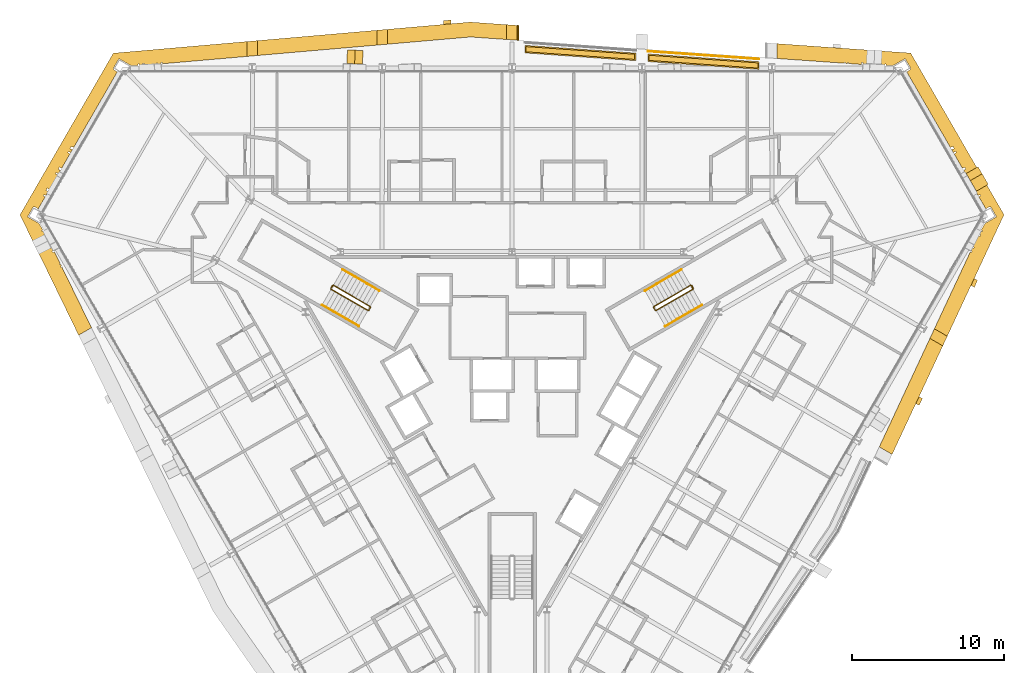
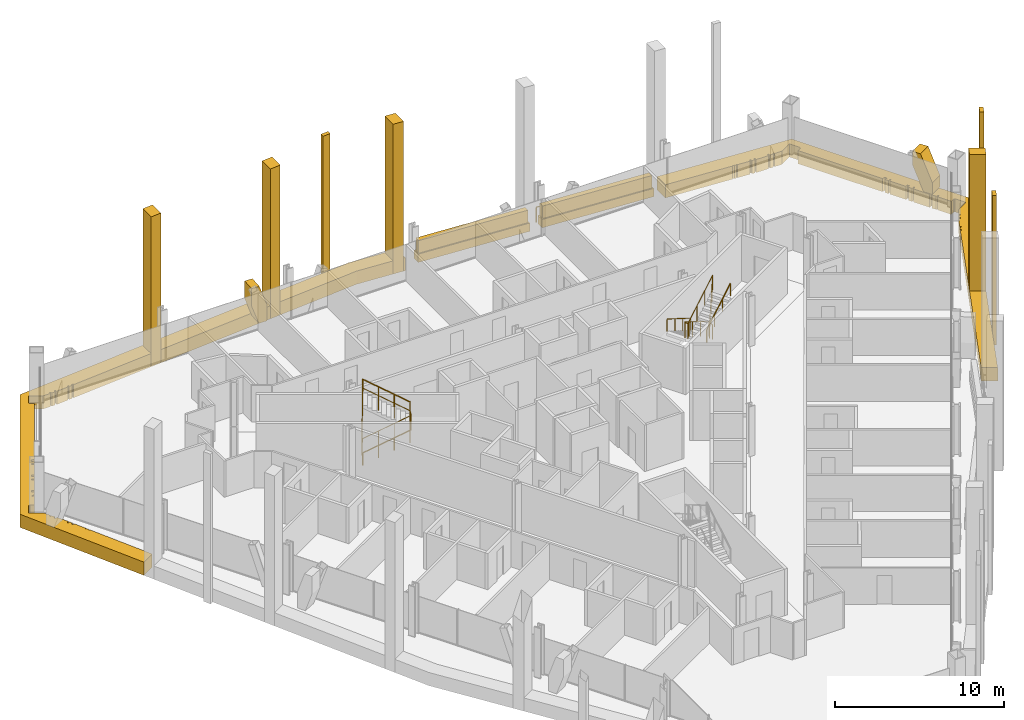
# One storey, part 20 of 21: 19 coverings, 7 railings.
"""IFC4 building model written with IfcOpenShell, lengths in metres."""

from ifc_helpers import new_model, si_unit, direction, frame, origin, origin_2d, place, context, subcontext, project, spatial, polyline, circle, outline, extrude, material, layer, layer_set, type_object, element, save


model = new_model("IFC4")

# Units and contexts
model_context = context("Model", 3, precision=1e-05, world=origin(), true_north=direction((0.0, 1.0)))
body_context = subcontext(model_context, "Body", "Model", "MODEL_VIEW")
ifc_project = project(units=[si_unit("LENGTHUNIT", "METRE"), si_unit("AREAUNIT", "SQUARE_METRE"), si_unit("VOLUMEUNIT", "CUBIC_METRE"), si_unit("PLANEANGLEUNIT", "RADIAN"), si_unit("MASSUNIT", "GRAM", prefix="KILO")], contexts=[model_context])

# Site, building, storey
site_placement = place(None, origin())
site = spatial("IfcSite", under=ifc_project, at=site_placement, CompositionType="ELEMENT")
building_placement = place(site_placement, origin())
building = spatial("IfcBuilding", under=site, at=building_placement, Name="Verrane Prism Tower", CompositionType="ELEMENT")
storey_placement = place(building_placement, frame((0.0, 0.0, 65.60009765625)))
storey = spatial("IfcBuildingStorey", under=building, at=storey_placement, Name="L14", CompositionType="ELEMENT", Elevation=65.60009765625)

# Coverings
ifc_material_1 = material(Name="Planting medium in stone kerb", Category="masonry")
covering_type_1 = type_object("IfcCoveringType", Name="Planter bed 600", PredefinedType="USERDEFINED", material=ifc_material_1)
covering_1_placement = place(storey_placement, origin())
element("IfcCovering", 1, at=covering_1_placement, inside=storey, type_object=covering_type_1, Name="Loggia planter N2 L14", ObjectType="PLANTER", PredefinedType="USERDEFINED", context=body_context, shape_type="SweptSolid", body=[
    extrude(outline(polyline([(16.2978515625, 21.732177734375), (8.97412109375, 22.246826171875), (8.97412109375, 21.746826171875), (16.2978515625, 21.232177734375), (16.2978515625, 21.732177734375)])), origin(), (0.0, 0.0, 1.0), 0.599853515625),
])
covering_2_placement = place(storey_placement, origin())
element("IfcCovering", 2, at=covering_2_placement, inside=storey, type_object=covering_type_1, Name="Loggia planter N3 L14", ObjectType="PLANTER", PredefinedType="USERDEFINED", context=body_context, shape_type="SweptSolid", body=[
    extrude(outline(polyline([(8.174072265625, 22.302978515625), (0.85009765625, 22.817626953125), (0.85009765625, 22.317626953125), (8.174072265625, 21.802978515625), (8.174072265625, 22.302978515625)])), origin(), (0.0, 0.0, 1.0), 0.599853515625),
])
ifc_material_2 = material(Name="Planted shrubs and grasses", Category="other")
covering_type_2 = type_object("IfcCoveringType", Name="Planting mass 1000", PredefinedType="USERDEFINED", material=ifc_material_2)
covering_3_placement = place(storey_placement, frame((0.0, 0.0, 0.599853515625)))
element("IfcCovering", 3, at=covering_3_placement, inside=storey, type_object=covering_type_2, Name="Loggia planting N2 L14", ObjectType="PLANTING", PredefinedType="USERDEFINED", context=body_context, shape_type="SweptSolid", body=[
    extrude(outline(polyline([(9.053955078125, 22.160888671875), (9.053955078125, 21.8212890625), (16.218017578125, 21.318115234375), (16.218017578125, 21.65771484375), (9.053955078125, 22.160888671875)])), origin(), (0.0, 0.0, 1.0), 0.900146484375),
])
covering_4_placement = place(storey_placement, frame((0.0, 0.0, 0.599853515625)))
element("IfcCovering", 4, at=covering_4_placement, inside=storey, type_object=covering_type_2, Name="Loggia planting N3 L14", ObjectType="PLANTING", PredefinedType="USERDEFINED", context=body_context, shape_type="SweptSolid", body=[
    extrude(outline(polyline([(0.929931640625, 22.731689453125), (0.929931640625, 22.39208984375), (8.093994140625, 21.888916015625), (8.093994140625, 22.228515625), (0.929931640625, 22.731689453125)])), origin(), (0.0, 0.0, 1.0), 0.900146484375),
])

# Railings
ifc_material_3 = material(Name="Steel A36 rail and posts, no infill", Category="steel")
railing_type_1 = type_object("IfcRailingType", Name="Stair guard 1100 steel rail and posts", PredefinedType="GUARDRAIL", material=ifc_material_3)
railing_1_placement = place(storey_placement, frame((11.78955078125, 6.97998046875, 0.16357421875)))
element("IfcRailing", 5, at=railing_1_placement, inside=storey, type_object=railing_type_1, Name="Stair 1 guard", PredefinedType="GUARDRAIL", context=body_context, shape_type="SweptSolid", body=[
    extrude(circle(Radius=0.02392578125, at=origin_2d()), frame((0.0, 0.0, 1.076171875), z_axis=(-0.747693913401, -0.431738279637, 0.504535300807), x_axis=(0.500049511043, -0.865996816683, 0.0)), (0.0, 0.0, 1.0), 3.2431640625),
    extrude(circle(Radius=0.02392578125, at=origin_2d()), frame((-2.4248046875, -1.400146484375, 2.71240234375), z_axis=(-0.259601060869, -0.965715946433, 0.0), x_axis=(0.965715946433, -0.259601060869, 0.0)), (0.0, 0.0, 1.0), 0.070556640625),
    extrude(circle(Radius=0.02392578125, at=origin_2d()), frame((-2.443115234375, -1.46826171875, 2.71240234375), z_axis=(0.499158860599, -0.866510491504, 0.0), x_axis=(0.866510491504, 0.499158860599, 0.0)), (0.0, 0.0, 1.0), 0.199951171875),
    extrude(circle(Radius=0.02392578125, at=origin_2d()), frame((-2.34326171875, -1.6416015625, 2.71240234375), z_axis=(0.383070988865, -0.102608300589, 0.918002262601), x_axis=(0.258736085224, 0.965948051503, 0.0)), (0.0, 0.0, 1.0), 0.178466796875),
    extrude(circle(Radius=0.02392578125, at=origin_2d()), frame((-2.27490234375, -1.659912109375, 2.8759765625), z_axis=(0.747693913401, 0.431738279637, 0.504535300807), x_axis=(-0.500049511043, 0.865996816683, 0.0)), (0.0, 0.0, 1.0), 3.2431640625),
    extrude(circle(Radius=0.02392578125, at=origin_2d()), frame((0.14990234375, -0.259765625, 4.51220703125), z_axis=(-0.022595193939, 0.066906128161, -0.9975033971), x_axis=(-0.947430582667, -0.3199613899, 0.0)), (0.0, 0.0, 1.0), 3.60888671875),
    extrude(circle(Radius=0.02392578125, at=origin_2d()), frame((0.068359375, -0.018310546875, 0.91259765625), z_axis=(0.499158860599, -0.866510491504, 0.0), x_axis=(0.866510491504, 0.499158860599, 0.0)), (0.0, 0.0, 1.0), 0.199951171875),
    extrude(circle(Radius=0.02099609375, at=origin_2d()), origin(), (0.0, 0.0, 1.0), 1.052001953125),
    extrude(circle(Radius=0.02099609375, at=origin_2d()), frame((-0.808349609375, -0.466796875, 0.54541015625)), (0.0, 0.0, 1.0), 1.052001953125),
    extrude(circle(Radius=0.02099609375, at=origin_2d()), frame((-1.616455078125, -0.933349609375, 1.0908203125)), (0.0, 0.0, 1.0), 1.052001953125),
    extrude(circle(Radius=0.02099609375, at=origin_2d()), frame((-2.4248046875, -1.400146484375, 1.63623046875)), (0.0, 0.0, 1.0), 1.052001953125),
    extrude(circle(Radius=0.02099609375, at=origin_2d()), frame((-2.443115234375, -1.46826171875, 1.63623046875)), (0.0, 0.0, 1.0), 1.052001953125),
    extrude(circle(Radius=0.02099609375, at=origin_2d()), frame((-2.34326171875, -1.6416015625, 1.63623046875)), (0.0, 0.0, 1.0), 1.052001953125),
    extrude(circle(Radius=0.02099609375, at=origin_2d()), frame((-2.27490234375, -1.659912109375, 1.800048828125)), (0.0, 0.0, 1.0), 1.052001953125),
    extrude(circle(Radius=0.02099609375, at=origin_2d()), frame((-1.466552734375, -1.193115234375, 2.345458984375)), (0.0, 0.0, 1.0), 1.052001953125),
    extrude(circle(Radius=0.02099609375, at=origin_2d()), frame((-0.658447265625, -0.7265625, 2.890869140625)), (0.0, 0.0, 1.0), 1.052001953125),
    extrude(circle(Radius=0.02099609375, at=origin_2d()), frame((0.14990234375, -0.259765625, 3.436279296875)), (0.0, 0.0, 1.0), 1.052001953125),
    extrude(circle(Radius=0.02099609375, at=origin_2d()), frame((0.12939453125, -0.199462890625, 2.536376953125)), (0.0, 0.0, 1.0), 1.052001953125),
    extrude(circle(Radius=0.02099609375, at=origin_2d()), frame((0.109130859375, -0.13916015625, 1.63623046875)), (0.0, 0.0, 1.0), 1.052001953125),
    extrude(circle(Radius=0.02099609375, at=origin_2d()), frame((0.0888671875, -0.07861328125, 0.736328125)), (0.0, 0.0, 1.0), 1.052001953125),
    extrude(circle(Radius=0.02099609375, at=origin_2d()), frame((0.068359375, -0.018310546875, -0.16357421875)), (0.0, 0.0, 1.0), 1.052001953125),
    extrude(circle(Radius=0.02099609375, at=origin_2d()), frame((0.168212890625, -0.191650390625, -0.16357421875)), (0.0, 0.0, 1.0), 1.052001953125),
])
railing_2_placement = place(storey_placement, frame((-11.939453125, 6.72021484375, 0.16357421875)))
element("IfcRailing", 6, at=railing_2_placement, inside=storey, type_object=railing_type_1, Name="Stair 2 guard", PredefinedType="GUARDRAIL", context=body_context, shape_type="SweptSolid", body=[
    extrude(circle(Radius=0.02392578125, at=origin_2d()), frame((0.0, 0.0, 1.076171875), z_axis=(0.747693913401, -0.431738279637, 0.504535300807), x_axis=(0.500049511043, 0.865996816683, 0.0)), (0.0, 0.0, 1.0), 3.2431640625),
    extrude(circle(Radius=0.02392578125, at=origin_2d()), frame((2.4248046875, -1.400146484375, 2.71240234375), z_axis=(0.965948051503, 0.258736085224, 0.0), x_axis=(-0.258736085224, 0.965948051503, 0.0)), (0.0, 0.0, 1.0), 0.07080078125),
    extrude(circle(Radius=0.02392578125, at=origin_2d()), frame((2.4931640625, -1.3818359375, 2.71240234375), z_axis=(0.499158860599, 0.866510491504, 0.0), x_axis=(-0.866510491504, 0.499158860599, 0.0)), (0.0, 0.0, 1.0), 0.199951171875),
    extrude(circle(Radius=0.02392578125, at=origin_2d()), frame((2.593017578125, -1.20849609375, 2.71240234375), z_axis=(-0.10266202204, 0.381902721988, 0.918482890515), x_axis=(-0.965715946433, -0.259601060869, 0.0)), (0.0, 0.0, 1.0), 0.178466796875),
    extrude(circle(Radius=0.02392578125, at=origin_2d()), frame((2.57470703125, -1.140380859375, 2.8759765625), z_axis=(-0.747693913401, 0.431738279637, 0.504535300807), x_axis=(-0.500049511043, -0.865996816683, 0.0)), (0.0, 0.0, 1.0), 3.2431640625),
    extrude(circle(Radius=0.02392578125, at=origin_2d()), frame((0.14990234375, 0.259765625, 4.51220703125), z_axis=(-0.046610908435, -0.053105316576, -0.997500500534), x_axis=(0.751567565678, -0.659656118156, 0.0)), (0.0, 0.0, 1.0), 3.60888671875),
    extrude(circle(Radius=0.02392578125, at=origin_2d()), frame((-0.018310546875, 0.068115234375, 0.91259765625), z_axis=(0.499158860599, 0.866510491504, 0.0), x_axis=(-0.866510491504, 0.499158860599, 0.0)), (0.0, 0.0, 1.0), 0.199951171875),
    extrude(circle(Radius=0.02099609375, at=origin_2d()), origin(), (0.0, 0.0, 1.0), 1.052001953125),
    extrude(circle(Radius=0.02099609375, at=origin_2d()), frame((0.808349609375, -0.466796875, 0.54541015625)), (0.0, 0.0, 1.0), 1.052001953125),
    extrude(circle(Radius=0.02099609375, at=origin_2d()), frame((1.616455078125, -0.933349609375, 1.0908203125)), (0.0, 0.0, 1.0), 1.052001953125),
    extrude(circle(Radius=0.02099609375, at=origin_2d()), frame((2.4248046875, -1.400146484375, 1.63623046875)), (0.0, 0.0, 1.0), 1.052001953125),
    extrude(circle(Radius=0.02099609375, at=origin_2d()), frame((2.4931640625, -1.3818359375, 1.63623046875)), (0.0, 0.0, 1.0), 1.052001953125),
    extrude(circle(Radius=0.02099609375, at=origin_2d()), frame((2.593017578125, -1.20849609375, 1.63623046875)), (0.0, 0.0, 1.0), 1.052001953125),
    extrude(circle(Radius=0.02099609375, at=origin_2d()), frame((2.57470703125, -1.140380859375, 1.800048828125)), (0.0, 0.0, 1.0), 1.052001953125),
    extrude(circle(Radius=0.02099609375, at=origin_2d()), frame((1.766357421875, -0.673583984375, 2.345458984375)), (0.0, 0.0, 1.0), 1.052001953125),
    extrude(circle(Radius=0.02099609375, at=origin_2d()), frame((0.958251953125, -0.20703125, 2.890869140625)), (0.0, 0.0, 1.0), 1.052001953125),
    extrude(circle(Radius=0.02099609375, at=origin_2d()), frame((0.14990234375, 0.259765625, 3.436279296875)), (0.0, 0.0, 1.0), 1.052001953125),
    extrude(circle(Radius=0.02099609375, at=origin_2d()), frame((0.10791015625, 0.2119140625, 2.536376953125)), (0.0, 0.0, 1.0), 1.052001953125),
    extrude(circle(Radius=0.02099609375, at=origin_2d()), frame((0.06591796875, 0.1640625, 1.63623046875)), (0.0, 0.0, 1.0), 1.052001953125),
    extrude(circle(Radius=0.02099609375, at=origin_2d()), frame((0.023681640625, 0.115966796875, 0.736328125)), (0.0, 0.0, 1.0), 1.052001953125),
    extrude(circle(Radius=0.02099609375, at=origin_2d()), frame((-0.018310546875, 0.068115234375, -0.16357421875)), (0.0, 0.0, 1.0), 1.052001953125),
    extrude(circle(Radius=0.02099609375, at=origin_2d()), frame((0.08154296875, 0.241455078125, -0.16357421875)), (0.0, 0.0, 1.0), 1.052001953125),
])
ifc_material_4 = material(Name="Steel A36 tube", Category="steel")
railing_type_2 = type_object("IfcRailingType", Name="Stair handrail 900 steel tube", PredefinedType="HANDRAIL", material=ifc_material_4)
railing_3_placement = place(storey_placement, frame((11.189453125, 8.01904296875, 0.16357421875)))
element("IfcRailing", 7, at=railing_3_placement, inside=storey, type_object=railing_type_2, Name="Stair 1 handrail", PredefinedType="HANDRAIL", context=body_context, shape_type="SweptSolid", body=[
    extrude(circle(Radius=0.02392578125, at=origin_2d()), frame((0.0, 0.0, 0.8759765625), z_axis=(-0.74771821388, -0.431677027627, 0.504551698492), x_axis=(0.49998411664, -0.866034573852, 0.0)), (0.0, 0.0, 1.0), 3.242919921875),
    extrude(circle(Radius=0.02099609375, at=origin_2d()), origin(), (0.0, 0.0, 1.0), 0.851806640625),
    extrude(circle(Radius=0.02099609375, at=origin_2d()), frame((-0.808349609375, -0.466552734375, 0.54541015625)), (0.0, 0.0, 1.0), 0.851806640625),
    extrude(circle(Radius=0.02099609375, at=origin_2d()), frame((-1.616455078125, -0.933349609375, 1.0908203125)), (0.0, 0.0, 1.0), 0.851806640625),
    extrude(circle(Radius=0.02099609375, at=origin_2d()), frame((-2.4248046875, -1.39990234375, 1.63623046875)), (0.0, 0.0, 1.0), 0.851806640625),
])
railing_4_placement = place(storey_placement, frame((10.11474609375, 4.28076171875, 1.963623046875)))
element("IfcRailing", 8, at=railing_4_placement, inside=storey, type_object=railing_type_2, Name="Stair 1 handrail", PredefinedType="HANDRAIL", context=body_context, shape_type="SweptSolid", body=[
    extrude(circle(Radius=0.02392578125, at=origin_2d()), frame((0.0, 0.0, 0.8759765625), z_axis=(0.747693913401, 0.431738279637, 0.504535300807), x_axis=(-0.500049511043, 0.865996816683, 0.0)), (0.0, 0.0, 1.0), 3.2431640625),
    extrude(circle(Radius=0.02099609375, at=origin_2d()), origin(), (0.0, 0.0, 1.0), 0.851806640625),
    extrude(circle(Radius=0.02099609375, at=origin_2d()), frame((0.808349609375, 0.466796875, 0.54541015625)), (0.0, 0.0, 1.0), 0.851806640625),
    extrude(circle(Radius=0.02099609375, at=origin_2d()), frame((1.616455078125, 0.933349609375, 1.0908203125)), (0.0, 0.0, 1.0), 0.851806640625),
    extrude(circle(Radius=0.02099609375, at=origin_2d()), frame((2.4248046875, 1.400146484375, 1.63623046875)), (0.0, 0.0, 1.0), 0.851806640625),
])
railing_5_placement = place(storey_placement, frame((-12.53955078125, 5.680908203125, 0.16357421875)))
element("IfcRailing", 9, at=railing_5_placement, inside=storey, type_object=railing_type_2, Name="Stair 2 handrail", PredefinedType="HANDRAIL", context=body_context, shape_type="SweptSolid", body=[
    extrude(circle(Radius=0.02392578125, at=origin_2d()), frame((0.0, 0.0, 0.8759765625), z_axis=(0.747693913401, -0.431738279637, 0.504535300807), x_axis=(0.500049511043, 0.865996816683, 0.0)), (0.0, 0.0, 1.0), 3.2431640625),
    extrude(circle(Radius=0.02099609375, at=origin_2d()), origin(), (0.0, 0.0, 1.0), 0.851806640625),
    extrude(circle(Radius=0.02099609375, at=origin_2d()), frame((0.808349609375, -0.466796875, 0.54541015625)), (0.0, 0.0, 1.0), 0.851806640625),
    extrude(circle(Radius=0.02099609375, at=origin_2d()), frame((1.616455078125, -0.933349609375, 1.0908203125)), (0.0, 0.0, 1.0), 0.851806640625),
    extrude(circle(Radius=0.02099609375, at=origin_2d()), frame((2.4248046875, -1.400146484375, 1.63623046875)), (0.0, 0.0, 1.0), 0.851806640625),
])
railing_6_placement = place(storey_placement, frame((-8.7646484375, 6.619140625, 1.963623046875)))
element("IfcRailing", 10, at=railing_6_placement, inside=storey, type_object=railing_type_2, Name="Stair 2 handrail", PredefinedType="HANDRAIL", context=body_context, shape_type="SweptSolid", body=[
    extrude(circle(Radius=0.02392578125, at=origin_2d()), frame((0.0, 0.0, 0.8759765625), z_axis=(-0.74771821388, 0.431677027627, 0.504551698492), x_axis=(-0.49998411664, -0.866034573852, 0.0)), (0.0, 0.0, 1.0), 3.242919921875),
    extrude(circle(Radius=0.02099609375, at=origin_2d()), origin(), (0.0, 0.0, 1.0), 0.851806640625),
    extrude(circle(Radius=0.02099609375, at=origin_2d()), frame((-0.808349609375, 0.466552734375, 0.54541015625)), (0.0, 0.0, 1.0), 0.851806640625),
    extrude(circle(Radius=0.02099609375, at=origin_2d()), frame((-1.616455078125, 0.933349609375, 1.0908203125)), (0.0, 0.0, 1.0), 0.851806640625),
    extrude(circle(Radius=0.02099609375, at=origin_2d()), frame((-2.4248046875, 1.39990234375, 1.63623046875)), (0.0, 0.0, 1.0), 0.851806640625),
])

# Coverings
ifc_material_5 = material(Name="Warm limestone cladding", Category="masonry")
ifc_layer_1 = layer(ifc_material_5, 0.89990234375)
ifc_layer_set_1 = layer_set([ifc_layer_1], Name="Stone brace fin 900")
covering_type_3 = type_object("IfcCoveringType", Name="Stone brace fin 900", PredefinedType="CLADDING", material=ifc_layer_set_1)
covering_5_placement = place(storey_placement, frame((-9.8525390625, 22.022216796875, 0.0), z_axis=(0.0, 0.0, 1.0), x_axis=(-0.998793216852, 0.049113236195, 0.0)))
element("IfcCovering", 11, at=covering_5_placement, inside=storey, type_object=covering_type_3, Name="Stone brace fin N5 L14", PredefinedType="CLADDING", context=body_context, shape_type="SweptSolid", body=[
    extrude(outline(polyline([(1.03369140625, 2.64990234375), (0.518310546875, 2.64990234375), (0.0, 1.141845703125), (0.0, 0.0), (0.55908203125, 0.0), (1.03369140625, 1.381103515625), (1.03369140625, 2.64990234375)])), frame((0.0, 0.449951171875, 0.0), z_axis=(0.0, -1.0, 0.0), x_axis=(1.0, 0.0, 0.0)), (0.0, 0.0, 1.0), 0.89990234375),
])
covering_6_placement = place(storey_placement, frame((31.03955078125, 13.4169921875, 0.0), z_axis=(0.0, 0.0, 1.0), x_axis=(-0.500235291855, 0.865889515344, 0.0)))
element("IfcCovering", 12, at=covering_6_placement, inside=storey, type_object=covering_type_3, Name="Stone brace fin NE1 L14", PredefinedType="CLADDING", context=body_context, shape_type="SweptSolid", body=[
    extrude(outline(polyline([(1.345947265625, 2.64990234375), (0.804443359375, 2.64990234375), (0.0, 0.85498046875), (0.0, 0.0), (0.60302734375, 0.0), (1.345947265625, 1.65771484375), (1.345947265625, 2.64990234375)])), frame((0.0, 0.449951171875, 0.0), z_axis=(0.0, -1.0, 0.0), x_axis=(1.0, 0.0, 0.0)), (0.0, 0.0, 1.0), 0.89990234375),
])
ifc_material_6 = material(Name="Warm limestone cladding", Category="masonry")
covering_type_4 = type_object("IfcCoveringType", Name="Stone mullion pier 500", PredefinedType="CLADDING", material=ifc_material_6)
covering_7_placement = place(storey_placement, frame((0.0, 0.0, -0.9501953125)))
element("IfcCovering", 13, at=covering_7_placement, inside=storey, type_object=covering_type_4, Name="Stone pier SM-N3.1 L14-L16", PredefinedType="CLADDING", context=body_context, shape_type="SweptSolid", body=[
    extrude(outline(polyline([(-4.537109375, 24.19580078125), (-4.037109375, 24.2392578125), (-4.037109375, 24.490234375), (-4.537109375, 24.44677734375), (-4.537109375, 24.19580078125)])), origin(), (0.0, 0.0, 1.0), 10.800048828125),
])
covering_8_placement = place(storey_placement, frame((0.0, 0.0, -0.9501953125)))
element("IfcCovering", 14, at=covering_8_placement, inside=storey, type_object=covering_type_4, Name="Stone pier SM-SE4.1 L14-L16", PredefinedType="CLADDING", context=body_context, shape_type="SweptSolid", body=[
    extrude(outline(polyline([(26.86328125, -0.370361328125), (26.65087890625, -0.8251953125), (26.868408203125, -0.95068359375), (27.08056640625, -0.495849609375), (26.86328125, -0.370361328125)])), origin(), (0.0, 0.0, 1.0), 10.800048828125),
])
covering_9_placement = place(storey_placement, frame((0.0, 0.0, -0.9501953125)))
element("IfcCovering", 15, at=covering_9_placement, inside=storey, type_object=covering_type_4, Name="Stone pier SM-SE5.1 L14-L16", PredefinedType="CLADDING", context=body_context, shape_type="SweptSolid", body=[
    extrude(outline(polyline([(30.50390625, 7.427978515625), (30.291748046875, 6.973388671875), (30.509033203125, 6.847900390625), (30.72119140625, 7.302490234375), (30.50390625, 7.427978515625)])), origin(), (0.0, 0.0, 1.0), 10.800048828125),
])
ifc_material_7 = material(Name="Warm limestone cladding", Category="masonry")
covering_type_5 = type_object("IfcCoveringType", Name="Stone pier 700", PredefinedType="CLADDING", material=ifc_material_7)
covering_10_placement = place(storey_placement, frame((0.0, 0.0, -0.9501953125)))
element("IfcCovering", 16, at=covering_10_placement, inside=storey, type_object=covering_type_5, Name="Stone pier PC-N3 L14-L16", PredefinedType="CLADDING", context=body_context, shape_type="SweptSolid", body=[
    extrude(outline(polyline([(-0.35009765625, 24.182373046875), (-0.35009765625, 23.201904296875), (0.35009765625, 23.152587890625), (0.35009765625, 24.133056640625), (-0.35009765625, 24.182373046875)])), origin(), (0.0, 0.0, 1.0), 10.800048828125),
])
covering_11_placement = place(storey_placement, frame((0.0, 0.0, -0.9501953125)))
element("IfcCovering", 17, at=covering_11_placement, inside=storey, type_object=covering_type_5, Name="Stone pier PC-N4 L14-L16", PredefinedType="CLADDING", context=body_context, shape_type="SweptSolid", body=[
    extrude(outline(polyline([(-8.924072265625, 23.81396484375), (-8.924072265625, 22.83203125), (-8.22412109375, 22.89306640625), (-8.22412109375, 23.874755859375), (-8.924072265625, 23.81396484375)])), origin(), (0.0, 0.0, 1.0), 10.800048828125),
])
covering_12_placement = place(storey_placement, frame((0.0, 0.0, -0.9501953125)))
element("IfcCovering", 18, at=covering_12_placement, inside=storey, type_object=covering_type_5, Name="Stone pier PC-N5 L14-L16", PredefinedType="CLADDING", context=body_context, shape_type="SweptSolid", body=[
    extrude(outline(polyline([(-17.497802734375, 23.067626953125), (-17.497802734375, 22.085693359375), (-16.7978515625, 22.146728515625), (-16.7978515625, 23.12841796875), (-17.497802734375, 23.067626953125)])), origin(), (0.0, 0.0, 1.0), 10.800048828125),
])
covering_13_placement = place(storey_placement, frame((0.0, 0.0, -0.9501953125)))
element("IfcCovering", 19, at=covering_13_placement, inside=storey, type_object=covering_type_5, Name="Stone pier PC-SE5 L14-L16", PredefinedType="CLADDING", context=body_context, shape_type="SweptSolid", body=[
    extrude(outline(polyline([(28.72607421875, 3.619873046875), (27.875732421875, 4.110595703125), (27.57861328125, 3.47412109375), (28.4287109375, 2.983154296875), (28.72607421875, 3.619873046875)])), origin(), (0.0, 0.0, 1.0), 10.800048828125),
])
ifc_material_8 = material(Name="Warm limestone cladding", Category="masonry")
ifc_layer_2 = layer(ifc_material_8, 0.449951171875)
ifc_layer_set_2 = layer_set([ifc_layer_2], Name="Stone spandrel band 450")
covering_type_6 = type_object("IfcCoveringType", Name="Stone spandrel band 450", PredefinedType="CLADDING", material=ifc_layer_set_2)
covering_14_placement = place(storey_placement, frame((0.0, 0.0, -0.9501953125)))
element("IfcCovering", 20, at=covering_14_placement, inside=storey, type_object=covering_type_6, Name="Stone spandrel band L14 part 2", PredefinedType="CLADDING", context=body_context, shape_type="SweptSolid", body=[
    extrude(outline(polyline([(17.497802734375, 21.94775390625), (21.9150390625, 21.637451171875), (21.9287109375, 21.68798828125), (22.0341796875, 21.65966796875), (22.02587890625, 21.629638671875), (22.147705078125, 21.62109375), (22.147705078125, 21.669921875), (22.22119140625, 21.669921875), (22.22119140625, 21.615966796875), (23.05419921875, 21.557373046875), (23.05419921875, 21.669921875), (23.1708984375, 21.669921875), (23.1708984375, 21.54931640625), (23.378173828125, 21.53466796875), (23.385009765625, 21.669677734375), (23.456787109375, 21.666015625), (23.44970703125, 21.529541015625), (23.823974609375, 21.50341796875), (24.264892578125, 21.50341796875), (24.27099609375, 21.62451171875), (24.385009765625, 21.618896484375), (24.379150390625, 21.50341796875), (24.6083984375, 21.50341796875), (24.6376953125, 21.608154296875), (24.70263671875, 21.590087890625), (24.678466796875, 21.50341796875), (25.19091796875, 21.50341796875), (25.94580078125, 21.939208984375), (26.32568359375, 21.281005859375), (26.306640625, 21.27001953125), (26.259521484375, 21.186767578125), (26.05126953125, 21.06640625), (28.928466796875, 16.082763671875), (29.1181640625, 16.142822265625), (29.166748046875, 15.98974609375), (29.0107421875, 15.940185546875), (29.130859375, 15.732177734375), (29.275390625, 15.815673828125), (29.322021484375, 15.73486328125), (29.177490234375, 15.651611328125), (29.7265625, 14.700439453125), (29.87109375, 14.7841796875), (29.948486328125, 14.650146484375), (29.8037109375, 14.566650390625), (29.9375, 14.3349609375), (30.08251953125, 14.418701171875), (30.12890625, 14.337890625), (29.984130859375, 14.254150390625), (30.533203125, 13.30322265625), (30.67822265625, 13.386962890625), (30.755615234375, 13.253173828125), (30.610595703125, 13.169189453125), (30.757080078125, 12.915283203125), (30.91455078125, 12.9521484375), (30.934326171875, 12.867431640625), (30.802490234375, 12.836669921875), (31.27001953125, 12.027099609375), (31.4794921875, 12.148193359375), (31.57666015625, 12.148193359375), (31.595703125, 12.1591796875), (31.9755859375, 11.5009765625), (31.217041015625, 11.06298828125), (30.96240234375, 10.62158203125), (31.05029296875, 10.599365234375), (31.03369140625, 10.534423828125), (30.927490234375, 10.561279296875), (30.812744140625, 10.362548828125), (30.91650390625, 10.309326171875), (30.864501953125, 10.2080078125), (30.755615234375, 10.263671875), (30.71728515625, 10.197265625), (30.40478515625, 9.527587890625), (30.4931640625, 9.482421875), (30.460693359375, 9.41845703125), (30.374267578125, 9.462646484375), (30.285400390625, 9.272216796875), (30.353515625, 9.232666015625), (30.29541015625, 9.1318359375), (30.236083984375, 9.166259765625), (27.875732421875, 4.110595703125), (28.72607421875, 3.619873046875), (32.4697265625, 11.638671875), (26.30908203125, 22.309326171875), (17.497802734375, 22.92822265625), (17.497802734375, 21.94775390625)])), origin(), (0.0, 0.0, 1.0), 0.9501953125),
])
covering_15_placement = place(storey_placement, frame((0.0, 0.0, -0.9501953125)))
element("IfcCovering", 21, at=covering_15_placement, inside=storey, type_object=covering_type_6, Name="Stone spandrel band L14 part 3", PredefinedType="CLADDING", context=body_context, shape_type="SweptSolid", body=[
    extrude(outline(polyline([(-32.474853515625, 11.629638671875), (-28.60546875, 3.689453125), (-27.75634765625, 4.1796875), (-29.69677734375, 8.161376953125), (-29.747314453125, 8.147705078125), (-29.775390625, 8.253173828125), (-29.745361328125, 8.26123046875), (-29.799072265625, 8.37158203125), (-29.841552734375, 8.346923828125), (-29.878173828125, 8.410400390625), (-29.831298828125, 8.4375), (-30.197265625, 9.188720703125), (-30.29541015625, 9.1318359375), (-30.353515625, 9.232666015625), (-30.248291015625, 9.293701171875), (-30.339599609375, 9.48046875), (-30.460693359375, 9.41845703125), (-30.4931640625, 9.482421875), (-30.370849609375, 9.544921875), (-30.534423828125, 9.880615234375), (-30.755615234375, 10.263671875), (-30.864501953125, 10.2080078125), (-30.91650390625, 10.309326171875), (-30.812744140625, 10.362548828125), (-30.927490234375, 10.561279296875), (-31.03369140625, 10.534423828125), (-31.05029296875, 10.599365234375), (-30.96240234375, 10.62158203125), (-31.217041015625, 11.06298828125), (-31.9755859375, 11.5009765625), (-31.595703125, 12.1591796875), (-31.57666015625, 12.148193359375), (-31.4794921875, 12.148193359375), (-31.27001953125, 12.027099609375), (-30.802490234375, 12.836669921875), (-30.934326171875, 12.867431640625), (-30.91455078125, 12.9521484375), (-30.757080078125, 12.915283203125), (-30.610595703125, 13.169189453125), (-30.755615234375, 13.253173828125), (-30.67822265625, 13.386962890625), (-30.533203125, 13.30322265625), (-29.984130859375, 14.254150390625), (-30.12890625, 14.337890625), (-30.08251953125, 14.418701171875), (-29.9375, 14.3349609375), (-29.8037109375, 14.566650390625), (-29.948486328125, 14.650146484375), (-29.87109375, 14.7841796875), (-29.7265625, 14.700439453125), (-29.177490234375, 15.651611328125), (-29.322021484375, 15.73486328125), (-29.275390625, 15.815673828125), (-29.130859375, 15.732177734375), (-29.0107421875, 15.940185546875), (-29.166748046875, 15.98974609375), (-29.1181640625, 16.142822265625), (-28.928466796875, 16.082763671875), (-26.05126953125, 21.06640625), (-26.259521484375, 21.186767578125), (-26.306640625, 21.27001953125), (-26.32568359375, 21.281005859375), (-25.94580078125, 21.939208984375), (-25.19091796875, 21.50341796875), (-24.678466796875, 21.50341796875), (-24.70263671875, 21.590087890625), (-24.6376953125, 21.608154296875), (-24.6083984375, 21.50341796875), (-24.379150390625, 21.50341796875), (-24.385009765625, 21.618896484375), (-24.27099609375, 21.62451171875), (-24.264892578125, 21.50341796875), (-24.189697265625, 21.50341796875), (-23.45166015625, 21.567626953125), (-23.456787109375, 21.666015625), (-23.385009765625, 21.669677734375), (-23.380126953125, 21.57373046875), (-23.1708984375, 21.592041015625), (-23.1708984375, 21.669921875), (-23.05419921875, 21.669921875), (-23.05419921875, 21.602294921875), (-17.497802734375, 22.085693359375), (-17.497802734375, 23.067626953125), (-26.314208984375, 22.30029296875), (-32.474853515625, 11.629638671875)])), origin(), (0.0, 0.0, 1.0), 0.9501953125),
])
covering_16_placement = place(storey_placement, frame((0.0, 0.0, -0.9501953125)))
element("IfcCovering", 22, at=covering_16_placement, inside=storey, type_object=covering_type_6, Name="Stone spandrel band L14 part 9", PredefinedType="CLADDING", context=body_context, shape_type="SweptSolid", body=[
    extrude(outline(polyline([(27.57861328125, 3.47412109375), (24.235107421875, -3.6875), (25.08544921875, -4.178466796875), (28.4287109375, 2.983154296875), (27.57861328125, 3.47412109375)])), origin(), (0.0, 0.0, 1.0), 0.9501953125),
])
covering_17_placement = place(storey_placement, frame((0.0, 0.0, -0.9501953125)))
element("IfcCovering", 23, at=covering_17_placement, inside=storey, type_object=covering_type_6, Name="Stone spandrel band L14 part 10", PredefinedType="CLADDING", context=body_context, shape_type="SweptSolid", body=[
    extrude(outline(polyline([(-8.22412109375, 22.89306640625), (-2.74365234375, 23.3701171875), (-0.35009765625, 23.201904296875), (-0.35009765625, 24.182373046875), (-2.751953125, 24.35107421875), (-8.22412109375, 23.874755859375), (-8.22412109375, 22.89306640625)])), origin(), (0.0, 0.0, 1.0), 0.9501953125),
])
covering_18_placement = place(storey_placement, frame((0.0, 0.0, -0.9501953125)))
element("IfcCovering", 24, at=covering_18_placement, inside=storey, type_object=covering_type_6, Name="Stone spandrel band L14 part 11", PredefinedType="CLADDING", context=body_context, shape_type="SweptSolid", body=[
    extrude(outline(polyline([(-8.924072265625, 23.81396484375), (-16.7978515625, 23.12841796875), (-16.7978515625, 22.146728515625), (-8.924072265625, 22.83203125), (-8.924072265625, 23.81396484375)])), origin(), (0.0, 0.0, 1.0), 0.9501953125),
])
covering_19_placement = place(storey_placement, frame((0.0, 0.0, -0.9501953125)))
element("IfcCovering", 25, at=covering_19_placement, inside=storey, type_object=covering_type_6, Name="Stone spandrel band L14 part 15", PredefinedType="CLADDING", context=body_context, shape_type="SweptSolid", body=[
    extrude(outline(polyline([(0.449951171875, 23.1455078125), (0.449951171875, 24.126220703125), (0.35009765625, 24.133056640625), (0.35009765625, 23.152587890625), (0.449951171875, 23.1455078125)])), origin(), (0.0, 0.0, 1.0), 0.9501953125),
])

# Railing
ifc_material_9 = material(Name="Stainless steel and laminated glass", Category="steel")
railing_type_3 = type_object("IfcRailingType", Name="Terrace guard 1100", PredefinedType="GUARDRAIL", material=ifc_material_9)
railing_7_placement = place(storey_placement, frame((16.2978515625, 21.912109375, 0.0)))
element("IfcRailing", 26, at=railing_7_placement, inside=storey, type_object=railing_type_3, Name="Loggia guard N2 L14", PredefinedType="GUARDRAIL", context=body_context, shape_type="SweptSolid", body=[
    extrude(circle(Radius=0.02392578125, at=origin_2d()), frame((0.0, 0.0, 1.076171875), z_axis=(-0.997540075292, 0.07009848919, 0.0), x_axis=(-0.07009848919, -0.997540075292, 0.0)), (0.0, 0.0, 1.0), 7.341796875),
    extrude(circle(Radius=0.02099609375, at=origin_2d()), origin(), (0.0, 0.0, 1.0), 1.052001953125),
    extrude(circle(Radius=0.02099609375, at=origin_2d()), frame((-1.046142578125, 0.073486328125, 0.0)), (0.0, 0.0, 1.0), 1.052001953125),
    extrude(circle(Radius=0.02099609375, at=origin_2d()), frame((-2.092529296875, 0.14697265625, 0.0)), (0.0, 0.0, 1.0), 1.052001953125),
    extrude(circle(Radius=0.02099609375, at=origin_2d()), frame((-3.138671875, 0.220458984375, 0.0)), (0.0, 0.0, 1.0), 1.052001953125),
    extrude(circle(Radius=0.02099609375, at=origin_2d()), frame((-4.18505859375, 0.294189453125, 0.0)), (0.0, 0.0, 1.0), 1.052001953125),
    extrude(circle(Radius=0.02099609375, at=origin_2d()), frame((-5.231201171875, 0.36767578125, 0.0)), (0.0, 0.0, 1.0), 1.052001953125),
    extrude(circle(Radius=0.02099609375, at=origin_2d()), frame((-6.277587890625, 0.441162109375, 0.0)), (0.0, 0.0, 1.0), 1.052001953125),
    extrude(circle(Radius=0.02099609375, at=origin_2d()), frame((-7.32373046875, 0.5146484375, 0.0)), (0.0, 0.0, 1.0), 1.052001953125),
])

save(model, "model.ifc")
